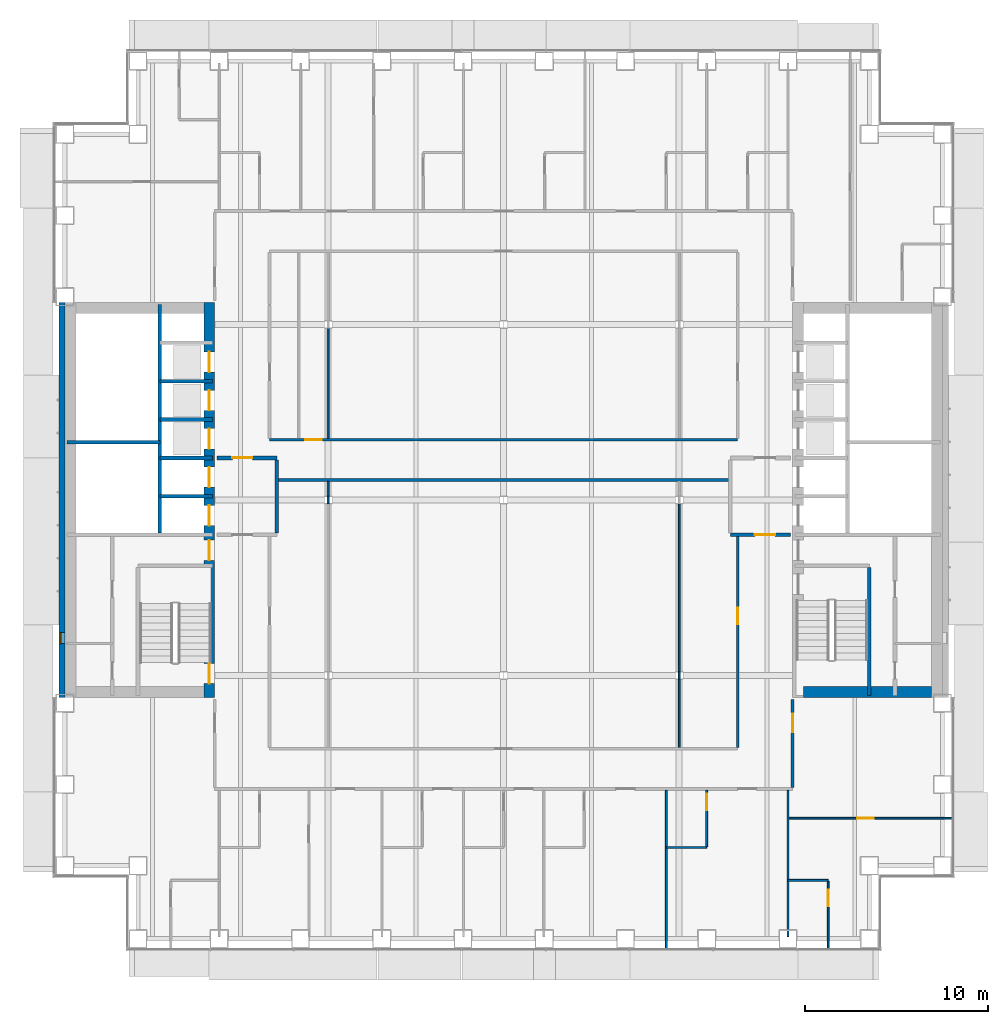
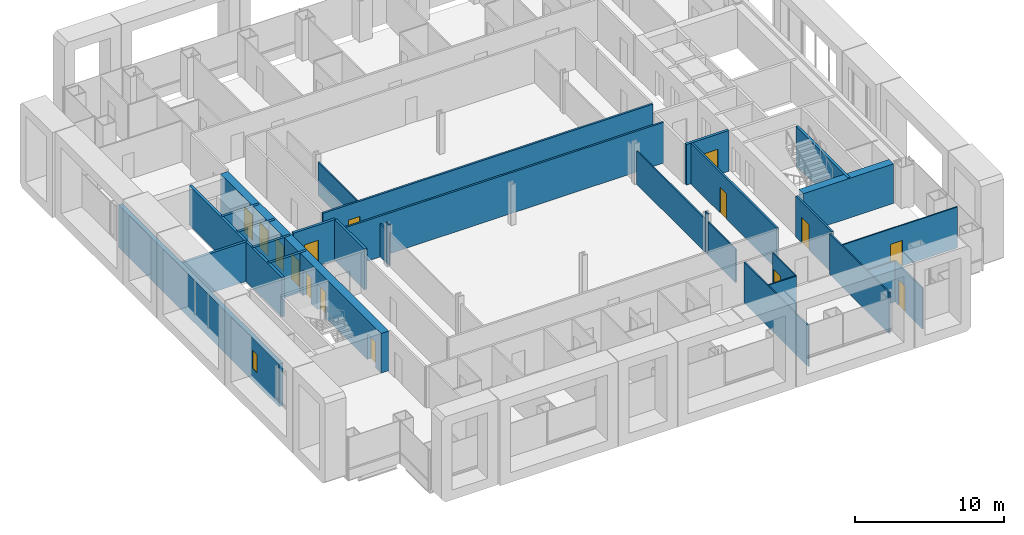
# One storey, part 16 of 25: 30 walls, 15 doors, 1 window, 16 openings.
"""IFC4 building model written with IfcOpenShell, lengths in metres."""

from ifc_helpers import new_model, si_unit, direction, frame, frame_2d, origin, place, context, subcontext, project, spatial, rectangle, extrude, material, layer, layer_set, type_object, element, fill, save


model = new_model("IFC4")

# Units and contexts
model_context = context("Model", 3, precision=1e-05, world=origin(), true_north=direction((0.0, 1.0)))
body_context = subcontext(model_context, "Body", "Model", "MODEL_VIEW")
ifc_project = project(units=[si_unit("LENGTHUNIT", "METRE"), si_unit("AREAUNIT", "SQUARE_METRE"), si_unit("VOLUMEUNIT", "CUBIC_METRE"), si_unit("PLANEANGLEUNIT", "RADIAN"), si_unit("MASSUNIT", "GRAM", prefix="KILO")], contexts=[model_context])

# Site, building, storey
site_placement = place(None, origin())
site = spatial("IfcSite", under=ifc_project, at=site_placement, CompositionType="ELEMENT")
building_placement = place(site_placement, origin())
building = spatial("IfcBuilding", under=site, at=building_placement, Name="Cobrizo Arcos Hotel Tower", CompositionType="ELEMENT")
storey_placement = place(building_placement, frame((0.0, 0.0, 46.0)))
storey = spatial("IfcBuildingStorey", under=building, at=storey_placement, Name="L09", CompositionType="ELEMENT", Elevation=46.0)

# Wall
ifc_material_1 = material(Name="Gypsum board partition")
ifc_layer_1 = layer(ifc_material_1, 0.14990234375)
ifc_layer_set_1 = layer_set([ifc_layer_1], Name="Corridor wall EI 60 150")
wall_type_1 = type_object("IfcWallType", Name="Corridor wall EI 60 150", PredefinedType="PARTITIONING", material=ifc_layer_set_1)
wall_1_placement = place(storey_placement, frame((-12.39990234375, 1.10009765625, 0.0), z_axis=(0.0, 0.0, 1.0), x_axis=(1.0, 0.0, 0.0)))
element("IfcWall", 1, at=wall_1_placement, inside=storey, type_object=wall_type_1, Name="Partition 021", PredefinedType="PARTITIONING", context=body_context, shape_type="SweptSolid", body=[
    extrude(rectangle(XDim=24.7998046875, YDim=0.14990234375, at=frame_2d((12.39990234375, 0.0))), origin(), (0.0, 0.0, 1.0), 3.35009765625),
])

# Wall, opening, door
wall_2_placement = place(storey_placement, frame((-12.800048828125, 3.300048828125, 0.0), z_axis=(0.0, 0.0, 1.0), x_axis=(1.0, 0.0, 0.0)))
wall_2 = element("IfcWall", 2, at=wall_2_placement, inside=storey, type_object=wall_type_1, Name="Partition 028", PredefinedType="PARTITIONING", context=body_context, shape_type="SweptSolid", body=[
    extrude(rectangle(XDim=25.60009765625, YDim=0.14990234375, at=frame_2d((12.800048828125, 0.0))), origin(), (0.0, 0.0, 1.0), 3.35009765625),
])
opening_1_placement = place(wall_2_placement, frame((1.949951171875, 0.0, 0.0)))
opening_1 = element("IfcOpeningElement", 3, at=opening_1_placement, cuts=wall_2, Name="Opening ED-17", PredefinedType="OPENING", context=body_context, shape_type="SweptSolid", body=[
    extrude(rectangle(XDim=0.89990234375, YDim=2.10009765625, at=frame_2d((0.449951171875, 1.050048828125))), frame((0.0, 0.0869140625, 0.0), z_axis=(0.0, -1.0, 0.0), x_axis=(1.0, 0.0, 0.0)), (0.0, 0.0, 1.0), 0.173828125),
])
ifc_material_2 = material(Name="Timber door leaf", Category="wood")
door_type_1 = type_object("IfcDoorType", Name="En-suite door 900x2100", OperationType="SINGLE_SWING_LEFT", PredefinedType="DOOR", material=ifc_material_2)
door_1_placement = place(opening_1_placement, origin())
door_1 = element("IfcDoor", 4, at=door_1_placement, inside=storey, type_object=door_type_1, Name="Door ED-17", OperationType="SINGLE_SWING_RIGHT", OverallHeight=2.10009765625, OverallWidth=0.89990234375, PredefinedType="DOOR", context=body_context, shape_type="SweptSolid", body=[
    extrude(rectangle(XDim=0.89990234375, YDim=2.10009765625, at=frame_2d((0.449951171875, 1.050048828125))), frame((0.0, 0.02490234375, 0.0), z_axis=(0.0, -1.0, 0.0), x_axis=(1.0, 0.0, 0.0)), (0.0, 0.0, 1.0), 0.050048828125),
])
fill(opening_1, door_1)

wall_3_placement = place(storey_placement, frame((12.800048828125, -13.52490234375, 0.0), z_axis=(0.0, 0.0, 1.0), x_axis=(0.0, 1.0, 0.0)))
wall_3 = element("IfcWall", 5, at=wall_3_placement, inside=storey, type_object=wall_type_1, Name="Partition 095", PredefinedType="PARTITIONING", context=body_context, shape_type="SweptSolid", body=[
    extrude(rectangle(XDim=11.52490234375, YDim=0.14990234375, at=frame_2d((5.762451171875, 0.0))), origin(), (0.0, 0.0, 1.0), 3.35009765625),
])
opening_2_placement = place(wall_3_placement, frame((6.72509765625, 0.0, 0.0)))
opening_2 = element("IfcOpeningElement", 6, at=opening_2_placement, cuts=wall_3, Name="Opening RD-11", PredefinedType="OPENING", context=body_context, shape_type="SweptSolid", body=[
    extrude(rectangle(XDim=0.89990234375, YDim=2.10009765625, at=frame_2d((0.449951171875, 1.050048828125))), frame((0.0, 0.0869140625, 0.0), z_axis=(0.0, -1.0, 0.0), x_axis=(1.0, 0.0, 0.0)), (0.0, 0.0, 1.0), 0.173828125),
])
door_type_2 = type_object("IfcDoorType", Name="Room door FD30 900x2100", OperationType="SINGLE_SWING_LEFT", PredefinedType="DOOR", material=ifc_material_2)
door_2_placement = place(opening_2_placement, origin())
door_2 = element("IfcDoor", 7, at=door_2_placement, inside=storey, type_object=door_type_2, Name="Door RD-11", OperationType="SINGLE_SWING_RIGHT", OverallHeight=2.10009765625, OverallWidth=0.89990234375, PredefinedType="DOOR", context=body_context, shape_type="SweptSolid", body=[
    extrude(rectangle(XDim=0.89990234375, YDim=2.10009765625, at=frame_2d((0.449951171875, 1.050048828125))), frame((0.0, 0.02490234375, 0.0), z_axis=(0.0, -1.0, 0.0), x_axis=(1.0, 0.0, 0.0)), (0.0, 0.0, 1.0), 0.050048828125),
])
fill(opening_2, door_2)

wall_4_placement = place(storey_placement, frame((15.800048828125, -15.72509765625, 0.0), z_axis=(0.0, 0.0, 1.0), x_axis=(0.0, 1.0, 0.0)))
wall_4 = element("IfcWall", 8, at=wall_4_placement, inside=storey, type_object=wall_type_1, Name="Partition 101", PredefinedType="PARTITIONING", context=body_context, shape_type="SweptSolid", body=[
    extrude(rectangle(XDim=4.80517578125, YDim=0.14990234375, at=frame_2d((2.402587890625, 0.0))), origin(), (0.0, 0.0, 1.0), 3.35009765625),
])
opening_3_placement = place(wall_4_placement, frame((3.02490234375, 0.0, 0.0)))
opening_3 = element("IfcOpeningElement", 9, at=opening_3_placement, cuts=wall_4, Name="Opening GD-13", PredefinedType="OPENING", context=body_context, shape_type="SweptSolid", body=[
    extrude(rectangle(XDim=1.0, YDim=2.10009765625, at=frame_2d((0.5, 1.050048828125))), frame((0.0, 0.0869140625, 0.0), z_axis=(0.0, -1.0, 0.0), x_axis=(1.0, 0.0, 0.0)), (0.0, 0.0, 1.0), 0.173828125),
])
door_type_3 = type_object("IfcDoorType", Name="Guest room door FD30S 1000x2100", OperationType="SINGLE_SWING_LEFT", PredefinedType="DOOR", material=ifc_material_2)
door_3_placement = place(opening_3_placement, origin())
door_3 = element("IfcDoor", 10, at=door_3_placement, inside=storey, type_object=door_type_3, Name="Door GD-13", OperationType="SINGLE_SWING_LEFT", OverallHeight=2.10009765625, OverallWidth=1.0, PredefinedType="DOOR", context=body_context, shape_type="SweptSolid", body=[
    extrude(rectangle(XDim=1.0, YDim=2.10009765625, at=frame_2d((0.5, 1.050048828125))), frame((0.0, 0.02490234375, 0.0), z_axis=(0.0, -1.0, 0.0), x_axis=(1.0, 0.0, 0.0)), (0.0, 0.0, 1.0), 0.050048828125),
])
fill(opening_3, door_3)

# Wall, opening, window
ifc_material_3 = material(Name="Aluminium composite panel pale metal", Category="aluminium")
ifc_layer_2 = layer(ifc_material_3, 0.324951171875)
ifc_layer_set_2 = layer_set([ifc_layer_2], Name="EW-1 insulated panel wall 325")
wall_type_2 = type_object("IfcWallType", Name="EW-1 insulated panel wall 325", PredefinedType="SOLIDWALL", material=ifc_layer_set_2)
wall_5_placement = place(storey_placement, frame((-24.16259765625, 10.800048828125, 0.0), z_axis=(0.0, 0.0, 1.0), x_axis=(0.0, -1.0, 0.0)))
wall_5 = element("IfcWall", 11, at=wall_5_placement, inside=storey, type_object=wall_type_2, Name="Core face wall L09 W", PredefinedType="SOLIDWALL", context=body_context, shape_type="SweptSolid", body=[
    extrude(rectangle(XDim=21.60009765625, YDim=0.324951171875, at=frame_2d((10.800048828125, 0.0))), origin(), (0.0, 0.0, 1.0), 3.5),
])
opening_4_placement = place(wall_5_placement, frame((18.050048828125, 0.0, 1.0)))
opening_4 = element("IfcOpeningElement", 12, at=opening_4_placement, cuts=wall_5, Name="Opening W-14", PredefinedType="OPENING", context=body_context, shape_type="SweptSolid", body=[
    extrude(rectangle(XDim=0.60009765625, YDim=1.5, at=frame_2d((0.300048828125, 0.75))), frame((0.0, 0.174560546875, 0.0), z_axis=(0.0, -1.0, 0.0), x_axis=(1.0, 0.0, 0.0)), (0.0, 0.0, 1.0), 0.348876953125),
])
ifc_material_4 = material(Name="Aluminium 6063-T6 and clear laminated glass", Category="aluminium")
window_type = type_object("IfcWindowType", Name="W-C1 core stair slot window 600x1500", PartitioningType="SINGLE_PANEL", PredefinedType="WINDOW", material=ifc_material_4)
window_placement = place(opening_4_placement, origin())
window = element("IfcWindow", 13, at=window_placement, inside=storey, type_object=window_type, Name="Core face wall L09 W window W-14", OverallHeight=1.5, OverallWidth=0.60009765625, PartitioningType="SINGLE_PANEL", PredefinedType="WINDOW", context=body_context, shape_type="SweptSolid", body=[
    extrude(rectangle(XDim=0.60009765625, YDim=1.5, at=frame_2d((0.300048828125, 0.75))), frame((0.0, -0.072509765625, 0.0), z_axis=(0.0, -1.0, 0.0), x_axis=(1.0, 0.0, 0.0)), (0.0, 0.0, 1.0), 0.06005859375),
])
fill(opening_4, window)

# Walls
ifc_layer_3 = layer(ifc_material_1, 0.10009765625)
ifc_layer_set_3 = layer_set([ifc_layer_3], Name="Partition EI 30 100")
wall_type_3 = type_object("IfcWallType", Name="Partition EI 30 100", PredefinedType="PARTITIONING", material=ifc_layer_set_3)
wall_6_placement = place(storey_placement, frame((15.550048828125, -20.800048828125, 0.0), z_axis=(0.0, 0.0, 1.0), x_axis=(1.0, 0.0, 0.0)))
element("IfcWall", 14, at=wall_6_placement, inside=storey, type_object=wall_type_3, Name="Partition 002", PredefinedType="PARTITIONING", context=body_context, shape_type="SweptSolid", body=[
    extrude(rectangle(XDim=2.199951171875, YDim=0.10009765625, at=frame_2d((1.10009765625, 0.0))), origin(), (0.0, 0.0, 1.0), 3.35009765625),
])
wall_7_placement = place(storey_placement, frame((8.89990234375, -19.0, 0.0), z_axis=(0.0, 0.0, 1.0), x_axis=(1.0, 0.0, 0.0)))
element("IfcWall", 15, at=wall_7_placement, inside=storey, type_object=wall_type_3, Name="Partition 007", PredefinedType="PARTITIONING", context=body_context, shape_type="SweptSolid", body=[
    extrude(rectangle(XDim=2.2001953125, YDim=0.10009765625, at=frame_2d((1.10009765625, 0.0))), origin(), (0.0, 0.0, 1.0), 3.35009765625),
])

# Wall, opening, door
wall_8_placement = place(storey_placement, frame((15.550048828125, -17.39990234375, 0.0), z_axis=(0.0, 0.0, 1.0), x_axis=(1.0, 0.0, 0.0)))
wall_8 = element("IfcWall", 16, at=wall_8_placement, inside=storey, type_object=wall_type_3, Name="Partition 008", PredefinedType="PARTITIONING", context=body_context, shape_type="SweptSolid", body=[
    extrude(rectangle(XDim=8.97998046875, YDim=0.10009765625, at=frame_2d((4.489990234375, 0.0))), origin(), (0.0, 0.0, 1.0), 3.35009765625),
])
opening_5_placement = place(wall_8_placement, frame((3.778076171875, 0.0, 0.0)))
opening_5 = element("IfcOpeningElement", 17, at=opening_5_placement, cuts=wall_8, Name="Opening RD-07", PredefinedType="OPENING", context=body_context, shape_type="SweptSolid", body=[
    extrude(rectangle(XDim=0.89990234375, YDim=2.10009765625, at=frame_2d((0.449951171875, 1.050048828125))), frame((0.0, 0.06201171875, 0.0), z_axis=(0.0, -1.0, 0.0), x_axis=(1.0, 0.0, 0.0)), (0.0, 0.0, 1.0), 0.1240234375),
])
door_4_placement = place(opening_5_placement, origin())
door_4 = element("IfcDoor", 18, at=door_4_placement, inside=storey, type_object=door_type_2, Name="Door RD-07", OperationType="SINGLE_SWING_RIGHT", OverallHeight=2.10009765625, OverallWidth=0.89990234375, PredefinedType="DOOR", context=body_context, shape_type="SweptSolid", body=[
    extrude(rectangle(XDim=0.89990234375, YDim=2.10009765625, at=frame_2d((0.449951171875, 1.050048828125))), frame((0.0, 0.02490234375, 0.0), z_axis=(0.0, -1.0, 0.0), x_axis=(1.0, 0.0, 0.0)), (0.0, 0.0, 1.0), 0.050048828125),
])
fill(opening_5, door_4)

# Walls
wall_9_placement = place(storey_placement, frame((-9.60009765625, -0.2041015625, 0.0), z_axis=(0.0, 0.0, 1.0), x_axis=(0.0, 1.0, 0.0)))
element("IfcWall", 19, at=wall_9_placement, inside=storey, type_object=wall_type_3, Name="Partition 066", PredefinedType="PARTITIONING", context=body_context, shape_type="SweptSolid", body=[
    extrude(rectangle(XDim=0.408203125, YDim=0.10009765625, at=frame_2d((0.2041015625, 0.0))), origin(), (0.0, 0.0, 1.0), 3.35009765625),
])
wall_10_placement = place(storey_placement, frame((-9.60009765625, 0.2041015625, 0.0), z_axis=(0.0, 0.0, 1.0), x_axis=(0.0, 1.0, 0.0)))
element("IfcWall", 20, at=wall_10_placement, inside=storey, type_object=wall_type_3, Name="Partition 067", PredefinedType="PARTITIONING", context=body_context, shape_type="SweptSolid", body=[
    extrude(rectangle(XDim=0.82080078125, YDim=0.10009765625, at=frame_2d((0.410400390625, 0.0))), origin(), (0.0, 0.0, 1.0), 2.72802734375),
])
wall_11_placement = place(storey_placement, frame((-9.60009765625, 3.375, 0.0), z_axis=(0.0, 0.0, 1.0), x_axis=(0.0, 1.0, 0.0)))
element("IfcWall", 21, at=wall_11_placement, inside=storey, type_object=wall_type_3, Name="Partition 068", PredefinedType="PARTITIONING", context=body_context, shape_type="SweptSolid", body=[
    extrude(rectangle(XDim=6.02099609375, YDim=0.10009765625, at=frame_2d((3.010498046875, 0.0))), origin(), (0.0, 0.0, 1.0), 2.72802734375),
])
wall_12_placement = place(storey_placement, frame((8.89990234375, -24.530029296875, 0.0), z_axis=(0.0, 0.0, 1.0), x_axis=(0.0, 1.0, 0.0)))
element("IfcWall", 22, at=wall_12_placement, inside=storey, type_object=wall_type_3, Name="Partition 082", PredefinedType="PARTITIONING", context=body_context, shape_type="SweptSolid", body=[
    extrude(rectangle(XDim=8.655029296875, YDim=0.10009765625, at=frame_2d((4.32763671875, 0.0))), origin(), (0.0, 0.0, 1.0), 3.35009765625),
])
wall_13_placement = place(storey_placement, frame((9.60009765625, -13.52490234375, 0.0), z_axis=(0.0, 0.0, 1.0), x_axis=(0.0, 1.0, 0.0)))
element("IfcWall", 23, at=wall_13_placement, inside=storey, type_object=wall_type_3, Name="Partition 084", PredefinedType="PARTITIONING", context=body_context, shape_type="SweptSolid", body=[
    extrude(rectangle(XDim=3.720947265625, YDim=0.10009765625, at=frame_2d((1.8603515625, 0.0))), origin(), (0.0, 0.0, 1.0), 2.72802734375),
])
wall_14_placement = place(storey_placement, frame((9.60009765625, -9.803955078125, 0.0), z_axis=(0.0, 0.0, 1.0), x_axis=(0.0, 1.0, 0.0)))
element("IfcWall", 24, at=wall_14_placement, inside=storey, type_object=wall_type_3, Name="Partition 085", PredefinedType="PARTITIONING", context=body_context, shape_type="SweptSolid", body=[
    extrude(rectangle(XDim=0.407958984375, YDim=0.10009765625, at=frame_2d((0.2041015625, 0.0))), origin(), (0.0, 0.0, 1.0), 3.35009765625),
])
wall_15_placement = place(storey_placement, frame((9.60009765625, -9.39599609375, 0.0), z_axis=(0.0, 0.0, 1.0), x_axis=(0.0, 1.0, 0.0)))
element("IfcWall", 25, at=wall_15_placement, inside=storey, type_object=wall_type_3, Name="Partition 086", PredefinedType="PARTITIONING", context=body_context, shape_type="SweptSolid", body=[
    extrude(rectangle(XDim=9.19189453125, YDim=0.10009765625, at=frame_2d((4.595947265625, 0.0))), origin(), (0.0, 0.0, 1.0), 2.72802734375),
])

# Wall, opening, door
wall_16_placement = place(storey_placement, frame((11.10009765625, -18.949951171875, 0.0), z_axis=(0.0, 0.0, 1.0), x_axis=(0.0, 1.0, 0.0)))
wall_16 = element("IfcWall", 26, at=wall_16_placement, inside=storey, type_object=wall_type_3, Name="Partition 092", PredefinedType="PARTITIONING", context=body_context, shape_type="SweptSolid", body=[
    extrude(rectangle(XDim=3.074951171875, YDim=0.10009765625, at=frame_2d((1.53759765625, 0.0))), origin(), (0.0, 0.0, 1.0), 3.35009765625),
])
opening_6_placement = place(wall_16_placement, frame((1.99609375, 0.0, 0.0)))
opening_6 = element("IfcOpeningElement", 27, at=opening_6_placement, cuts=wall_16, Name="Opening ED-11", PredefinedType="OPENING", context=body_context, shape_type="SweptSolid", body=[
    extrude(rectangle(XDim=0.89990234375, YDim=2.10009765625, at=frame_2d((0.449951171875, 1.050048828125))), frame((0.0, 0.06201171875, 0.0), z_axis=(0.0, -1.0, 0.0), x_axis=(1.0, 0.0, 0.0)), (0.0, 0.0, 1.0), 0.1240234375),
])
door_5_placement = place(opening_6_placement, origin())
door_5 = element("IfcDoor", 28, at=door_5_placement, inside=storey, type_object=door_type_1, Name="Door ED-11", OperationType="SINGLE_SWING_RIGHT", OverallHeight=2.10009765625, OverallWidth=0.89990234375, PredefinedType="DOOR", context=body_context, shape_type="SweptSolid", body=[
    extrude(rectangle(XDim=0.89990234375, YDim=2.10009765625, at=frame_2d((0.449951171875, 1.050048828125))), frame((0.0, 0.02490234375, 0.0), z_axis=(0.0, -1.0, 0.0), x_axis=(1.0, 0.0, 0.0)), (0.0, 0.0, 1.0), 0.050048828125),
])
fill(opening_6, door_5)

# Wall
wall_17_placement = place(storey_placement, frame((15.550048828125, -23.8798828125, 0.0), z_axis=(0.0, 0.0, 1.0), x_axis=(0.0, 1.0, 0.0)))
element("IfcWall", 29, at=wall_17_placement, inside=storey, type_object=wall_type_3, Name="Partition 099", PredefinedType="PARTITIONING", context=body_context, shape_type="SweptSolid", body=[
    extrude(rectangle(XDim=8.0048828125, YDim=0.10009765625, at=frame_2d((4.00244140625, 0.0))), origin(), (0.0, 0.0, 1.0), 3.35009765625),
])

# Wall, opening, door
wall_18_placement = place(storey_placement, frame((17.75, -24.530029296875, 0.0), z_axis=(0.0, 0.0, 1.0), x_axis=(0.0, 1.0, 0.0)))
wall_18 = element("IfcWall", 30, at=wall_18_placement, inside=storey, type_object=wall_type_3, Name="Partition 103", PredefinedType="PARTITIONING", context=body_context, shape_type="SweptSolid", body=[
    extrude(rectangle(XDim=3.679931640625, YDim=0.10009765625, at=frame_2d((1.83984375, 0.0))), origin(), (0.0, 0.0, 1.0), 3.35009765625),
])
opening_7_placement = place(wall_18_placement, frame((2.320068359375, 0.0, 0.0)))
opening_7 = element("IfcOpeningElement", 31, at=opening_7_placement, cuts=wall_18, Name="Opening ED-14", PredefinedType="OPENING", context=body_context, shape_type="SweptSolid", body=[
    extrude(rectangle(XDim=0.89990234375, YDim=2.10009765625, at=frame_2d((0.449951171875, 1.050048828125))), frame((0.0, 0.06201171875, 0.0), z_axis=(0.0, -1.0, 0.0), x_axis=(1.0, 0.0, 0.0)), (0.0, 0.0, 1.0), 0.1240234375),
])
door_6_placement = place(opening_7_placement, origin())
door_6 = element("IfcDoor", 32, at=door_6_placement, inside=storey, type_object=door_type_1, Name="Door ED-14", OperationType="SINGLE_SWING_RIGHT", OverallHeight=2.10009765625, OverallWidth=0.89990234375, PredefinedType="DOOR", context=body_context, shape_type="SweptSolid", body=[
    extrude(rectangle(XDim=0.89990234375, YDim=2.10009765625, at=frame_2d((0.449951171875, 1.050048828125))), frame((0.0, 0.02490234375, 0.0), z_axis=(0.0, -1.0, 0.0), x_axis=(1.0, 0.0, 0.0)), (0.0, 0.0, 1.0), 0.050048828125),
])
fill(opening_7, door_6)

# Wall
ifc_material_5 = material(Name="Concrete f'c 60 MPa", Category="concrete")
ifc_layer_4 = layer(ifc_material_5, 0.60009765625)
ifc_layer_set_4 = layer_set([ifc_layer_4], Name="RC core wall 600 f'c 60")
wall_type_4 = type_object("IfcWallType", Name="RC core wall 600 f'c 60", PredefinedType="SHEAR", material=ifc_layer_set_4)
wall_19_placement = place(storey_placement, frame((16.39990234375, -10.5, 0.0), z_axis=(0.0, 0.0, 1.0), x_axis=(1.0, 0.0, 0.0)))
element("IfcWall", 33, at=wall_19_placement, inside=storey, type_object=wall_type_4, Name="Core wall CW1, east core, south end, L09", PredefinedType="SHEAR", context=body_context, shape_type="SweptSolid", body=[
    extrude(rectangle(XDim=7.0, YDim=0.60009765625, at=frame_2d((3.5, 0.0))), origin(), (0.0, 0.0, 1.0), 3.25),
])

# Wall, openings, doors
wall_20_placement = place(storey_placement, frame((-16.10009765625, -10.800048828125, 0.0), z_axis=(0.0, 0.0, 1.0), x_axis=(0.0, 1.0, 0.0)))
wall_20 = element("IfcWall", 34, at=wall_20_placement, inside=storey, type_object=wall_type_4, Name="Core wall CW1, west core, inner face, L09", PredefinedType="SHEAR", context=body_context, shape_type="SweptSolid", body=[
    extrude(rectangle(XDim=21.60009765625, YDim=0.60009765625, at=frame_2d((10.800048828125, 0.0))), origin(), (0.0, 0.0, 1.0), 3.25),
])
opening_8_placement = place(wall_20_placement, frame((9.39990234375, 0.0, 0.0)))
opening_8 = element("IfcOpeningElement", 35, at=opening_8_placement, cuts=wall_20, Name="Opening LD-01", PredefinedType="OPENING", context=body_context, shape_type="SweptSolid", body=[
    extrude(rectangle(XDim=1.10009765625, YDim=2.10009765625, at=frame_2d((0.550048828125, 1.050048828125))), frame((0.0, 0.31201171875, 0.0), z_axis=(0.0, -1.0, 0.0), x_axis=(1.0, 0.0, 0.0)), (0.0, 0.0, 1.0), 0.6240234375),
])
opening_9_placement = place(wall_20_placement, frame((11.5, 0.0, 0.0)))
opening_9 = element("IfcOpeningElement", 36, at=opening_9_placement, cuts=wall_20, Name="Opening LD-02", PredefinedType="OPENING", context=body_context, shape_type="SweptSolid", body=[
    extrude(rectangle(XDim=1.10009765625, YDim=2.10009765625, at=frame_2d((0.550048828125, 1.050048828125))), frame((0.0, 0.31201171875, 0.0), z_axis=(0.0, -1.0, 0.0), x_axis=(1.0, 0.0, 0.0)), (0.0, 0.0, 1.0), 0.6240234375),
])
opening_10_placement = place(wall_20_placement, frame((13.60009765625, 0.0, 0.0)))
opening_10 = element("IfcOpeningElement", 37, at=opening_10_placement, cuts=wall_20, Name="Opening LD-03", PredefinedType="OPENING", context=body_context, shape_type="SweptSolid", body=[
    extrude(rectangle(XDim=1.10009765625, YDim=2.10009765625, at=frame_2d((0.550048828125, 1.050048828125))), frame((0.0, 0.31201171875, 0.0), z_axis=(0.0, -1.0, 0.0), x_axis=(1.0, 0.0, 0.0)), (0.0, 0.0, 1.0), 0.6240234375),
])
opening_11_placement = place(wall_20_placement, frame((15.699951171875, 0.0, 0.0)))
opening_11 = element("IfcOpeningElement", 38, at=opening_11_placement, cuts=wall_20, Name="Opening LD-04", PredefinedType="OPENING", context=body_context, shape_type="SweptSolid", body=[
    extrude(rectangle(XDim=1.10009765625, YDim=2.10009765625, at=frame_2d((0.550048828125, 1.050048828125))), frame((0.0, 0.31201171875, 0.0), z_axis=(0.0, -1.0, 0.0), x_axis=(1.0, 0.0, 0.0)), (0.0, 0.0, 1.0), 0.6240234375),
])
opening_12_placement = place(wall_20_placement, frame((17.800048828125, 0.0, 0.0)))
opening_12 = element("IfcOpeningElement", 39, at=opening_12_placement, cuts=wall_20, Name="Opening LD-05", PredefinedType="OPENING", context=body_context, shape_type="SweptSolid", body=[
    extrude(rectangle(XDim=1.10009765625, YDim=2.10009765625, at=frame_2d((0.550048828125, 1.050048828125))), frame((0.0, 0.31201171875, 0.0), z_axis=(0.0, -1.0, 0.0), x_axis=(1.0, 0.0, 0.0)), (0.0, 0.0, 1.0), 0.6240234375),
])
opening_13_placement = place(wall_20_placement, frame((0.758056640625, 0.0, 0.0)))
opening_13 = element("IfcOpeningElement", 40, at=opening_13_placement, cuts=wall_20, Name="Opening SD-01", PredefinedType="OPENING", context=body_context, shape_type="SweptSolid", body=[
    extrude(rectangle(XDim=1.10009765625, YDim=2.10009765625, at=frame_2d((0.550048828125, 1.050048828125))), frame((0.0, 0.31201171875, 0.0), z_axis=(0.0, -1.0, 0.0), x_axis=(1.0, 0.0, 0.0)), (0.0, 0.0, 1.0), 0.6240234375),
])
opening_14_placement = place(wall_20_placement, frame((7.5, 0.0, 0.0)))
opening_14 = element("IfcOpeningElement", 41, at=opening_14_placement, cuts=wall_20, Name="Opening FD-01", PredefinedType="OPENING", context=body_context, shape_type="SweptSolid", body=[
    extrude(rectangle(XDim=1.10009765625, YDim=2.10009765625, at=frame_2d((0.550048828125, 1.050048828125))), frame((0.0, 0.31201171875, 0.0), z_axis=(0.0, -1.0, 0.0), x_axis=(1.0, 0.0, 0.0)), (0.0, 0.0, 1.0), 0.6240234375),
])
ifc_material_6 = material(Name="Steel door leaf", Category="steel")
door_type_4 = type_object("IfcDoorType", Name="Fire door FD60 1100x2100", OperationType="SINGLE_SWING_LEFT", PredefinedType="DOOR", material=ifc_material_6)
door_7_placement = place(opening_14_placement, origin())
door_7 = element("IfcDoor", 42, at=door_7_placement, inside=storey, type_object=door_type_4, Name="Door FD-01", OperationType="SINGLE_SWING_LEFT", OverallHeight=2.10009765625, OverallWidth=1.10009765625, PredefinedType="DOOR", context=body_context, shape_type="SweptSolid", body=[
    extrude(rectangle(XDim=1.10009765625, YDim=2.10009765625, at=frame_2d((0.550048828125, 1.050048828125))), frame((0.0, 0.02490234375, 0.0), z_axis=(0.0, -1.0, 0.0), x_axis=(1.0, 0.0, 0.0)), (0.0, 0.0, 1.0), 0.050048828125),
])
fill(opening_14, door_7)
door_type_5 = type_object("IfcDoorType", Name="Lift landing door 1100x2100", OperationType="SLIDING_TO_LEFT", PredefinedType="DOOR", material=ifc_material_6)
door_8_placement = place(opening_8_placement, origin())
door_8 = element("IfcDoor", 43, at=door_8_placement, inside=storey, type_object=door_type_5, Name="Lift landing door LD-01", OperationType="SLIDING_TO_LEFT", OverallHeight=2.10009765625, OverallWidth=1.10009765625, PredefinedType="DOOR", context=body_context, shape_type="SweptSolid", body=[
    extrude(rectangle(XDim=1.10009765625, YDim=2.10009765625, at=frame_2d((0.550048828125, 1.050048828125))), frame((0.0, 0.02490234375, 0.0), z_axis=(0.0, -1.0, 0.0), x_axis=(1.0, 0.0, 0.0)), (0.0, 0.0, 1.0), 0.050048828125),
])
fill(opening_8, door_8)
door_9_placement = place(opening_9_placement, origin())
door_9 = element("IfcDoor", 44, at=door_9_placement, inside=storey, type_object=door_type_5, Name="Lift landing door LD-02", OperationType="SLIDING_TO_LEFT", OverallHeight=2.10009765625, OverallWidth=1.10009765625, PredefinedType="DOOR", context=body_context, shape_type="SweptSolid", body=[
    extrude(rectangle(XDim=1.10009765625, YDim=2.10009765625, at=frame_2d((0.550048828125, 1.050048828125))), frame((0.0, 0.02490234375, 0.0), z_axis=(0.0, -1.0, 0.0), x_axis=(1.0, 0.0, 0.0)), (0.0, 0.0, 1.0), 0.050048828125),
])
fill(opening_9, door_9)
door_10_placement = place(opening_10_placement, origin())
door_10 = element("IfcDoor", 45, at=door_10_placement, inside=storey, type_object=door_type_5, Name="Lift landing door LD-03", OperationType="SLIDING_TO_LEFT", OverallHeight=2.10009765625, OverallWidth=1.10009765625, PredefinedType="DOOR", context=body_context, shape_type="SweptSolid", body=[
    extrude(rectangle(XDim=1.10009765625, YDim=2.10009765625, at=frame_2d((0.550048828125, 1.050048828125))), frame((0.0, 0.02490234375, 0.0), z_axis=(0.0, -1.0, 0.0), x_axis=(1.0, 0.0, 0.0)), (0.0, 0.0, 1.0), 0.050048828125),
])
fill(opening_10, door_10)
door_11_placement = place(opening_11_placement, origin())
door_11 = element("IfcDoor", 46, at=door_11_placement, inside=storey, type_object=door_type_5, Name="Lift landing door LD-04", OperationType="SLIDING_TO_LEFT", OverallHeight=2.10009765625, OverallWidth=1.10009765625, PredefinedType="DOOR", context=body_context, shape_type="SweptSolid", body=[
    extrude(rectangle(XDim=1.10009765625, YDim=2.10009765625, at=frame_2d((0.550048828125, 1.050048828125))), frame((0.0, 0.02490234375, 0.0), z_axis=(0.0, -1.0, 0.0), x_axis=(1.0, 0.0, 0.0)), (0.0, 0.0, 1.0), 0.050048828125),
])
fill(opening_11, door_11)
door_12_placement = place(opening_12_placement, origin())
door_12 = element("IfcDoor", 47, at=door_12_placement, inside=storey, type_object=door_type_5, Name="Lift landing door LD-05", OperationType="SLIDING_TO_LEFT", OverallHeight=2.10009765625, OverallWidth=1.10009765625, PredefinedType="DOOR", context=body_context, shape_type="SweptSolid", body=[
    extrude(rectangle(XDim=1.10009765625, YDim=2.10009765625, at=frame_2d((0.550048828125, 1.050048828125))), frame((0.0, 0.02490234375, 0.0), z_axis=(0.0, -1.0, 0.0), x_axis=(1.0, 0.0, 0.0)), (0.0, 0.0, 1.0), 0.050048828125),
])
fill(opening_12, door_12)
door_type_6 = type_object("IfcDoorType", Name="Stair door FD60S 1100x2100", OperationType="SINGLE_SWING_LEFT", PredefinedType="DOOR", material=ifc_material_6)
door_13_placement = place(opening_13_placement, origin())
door_13 = element("IfcDoor", 48, at=door_13_placement, inside=storey, type_object=door_type_6, Name="Door SD-01", OperationType="SINGLE_SWING_RIGHT", OverallHeight=2.10009765625, OverallWidth=1.10009765625, PredefinedType="DOOR", context=body_context, shape_type="SweptSolid", body=[
    extrude(rectangle(XDim=1.10009765625, YDim=2.10009765625, at=frame_2d((0.550048828125, 1.050048828125))), frame((0.0, 0.02490234375, 0.0), z_axis=(0.0, -1.0, 0.0), x_axis=(1.0, 0.0, 0.0)), (0.0, 0.0, 1.0), 0.050048828125),
])
fill(opening_13, door_13)

# Wall, opening, door
ifc_layer_5 = layer(ifc_material_1, 0.199951171875)
ifc_layer_set_5 = layer_set([ifc_layer_5], Name="Shaft wall EI 120 200")
wall_type_5 = type_object("IfcWallType", Name="Shaft wall EI 120 200", PredefinedType="PARTITIONING", material=ifc_layer_set_5)
wall_21_placement = place(storey_placement, frame((12.39990234375, -1.89990234375, 0.0), z_axis=(0.0, 0.0, 1.0), x_axis=(1.0, 0.0, 0.0)))
wall_21 = element("IfcWall", 49, at=wall_21_placement, inside=storey, type_object=wall_type_5, Name="Partition 017", PredefinedType="PARTITIONING", context=body_context, shape_type="SweptSolid", body=[
    extrude(rectangle(XDim=3.280029296875, YDim=0.199951171875, at=frame_2d((1.64013671875, 0.0))), origin(), (0.0, 0.0, 1.0), 3.35009765625),
])
opening_15_placement = place(wall_21_placement, frame((1.340087890625, 0.0, 0.0)))
opening_15 = element("IfcOpeningElement", 50, at=opening_15_placement, cuts=wall_21, Name="Opening FD-06", PredefinedType="OPENING", context=body_context, shape_type="SweptSolid", body=[
    extrude(rectangle(XDim=1.10009765625, YDim=2.10009765625, at=frame_2d((0.550048828125, 1.050048828125))), frame((0.0, 0.112060546875, 0.0), z_axis=(0.0, -1.0, 0.0), x_axis=(1.0, 0.0, 0.0)), (0.0, 0.0, 1.0), 0.223876953125),
])
door_14_placement = place(opening_15_placement, origin())
door_14 = element("IfcDoor", 51, at=door_14_placement, inside=storey, type_object=door_type_4, Name="Door FD-06", OperationType="SINGLE_SWING_LEFT", OverallHeight=2.10009765625, OverallWidth=1.10009765625, PredefinedType="DOOR", context=body_context, shape_type="SweptSolid", body=[
    extrude(rectangle(XDim=1.10009765625, YDim=2.10009765625, at=frame_2d((0.550048828125, 1.050048828125))), frame((0.0, 0.02490234375, 0.0), z_axis=(0.0, -1.0, 0.0), x_axis=(1.0, 0.0, 0.0)), (0.0, 0.0, 1.0), 0.050048828125),
])
fill(opening_15, door_14)

# Walls
for number, where, z_axis, x_axis, name in (
    (52, (-18.800048828125, 0.199951171875, 0.0), (0.0, 0.0, 1.0), (1.0, 0.0, 0.0), "Partition 019"),
    (53, (-18.800048828125, 2.300048828125, 0.0), (0.0, 0.0, 1.0), (1.0, 0.0, 0.0), "Partition 022"),
):
    element("IfcWall", number, at=place(storey_placement, frame(where, z_axis=z_axis, x_axis=x_axis)), inside=storey, type_object=wall_type_5, Name=name, PredefinedType="PARTITIONING", context=body_context, shape_type="SweptSolid", body=[
        extrude(rectangle(XDim=2.880126953125, YDim=0.199951171875, at=frame_2d((1.43994140625, 0.0))), origin(), (0.0, 0.0, 1.0), 3.25),
    ])

# Wall, opening, door
wall_22_placement = place(storey_placement, frame((-15.679931640625, 2.300048828125, 0.0), z_axis=(0.0, 0.0, 1.0), x_axis=(1.0, 0.0, 0.0)))
wall_22 = element("IfcWall", 54, at=wall_22_placement, inside=storey, type_object=wall_type_5, Name="Partition 023", PredefinedType="PARTITIONING", context=body_context, shape_type="SweptSolid", body=[
    extrude(rectangle(XDim=3.280029296875, YDim=0.199951171875, at=frame_2d((1.64013671875, 0.0))), origin(), (0.0, 0.0, 1.0), 3.35009765625),
])
opening_16_placement = place(wall_22_placement, frame((0.840087890625, 0.0, 0.0)))
opening_16 = element("IfcOpeningElement", 55, at=opening_16_placement, cuts=wall_22, Name="Opening FD-02", PredefinedType="OPENING", context=body_context, shape_type="SweptSolid", body=[
    extrude(rectangle(XDim=1.10009765625, YDim=2.10009765625, at=frame_2d((0.550048828125, 1.050048828125))), frame((0.0, 0.112060546875, 0.0), z_axis=(0.0, -1.0, 0.0), x_axis=(1.0, 0.0, 0.0)), (0.0, 0.0, 1.0), 0.223876953125),
])
door_15_placement = place(opening_16_placement, origin())
door_15 = element("IfcDoor", 56, at=door_15_placement, inside=storey, type_object=door_type_4, Name="Door FD-02", OperationType="SINGLE_SWING_LEFT", OverallHeight=2.10009765625, OverallWidth=1.10009765625, PredefinedType="DOOR", context=body_context, shape_type="SweptSolid", body=[
    extrude(rectangle(XDim=1.10009765625, YDim=2.10009765625, at=frame_2d((0.550048828125, 1.050048828125))), frame((0.0, 0.02490234375, 0.0), z_axis=(0.0, -1.0, 0.0), x_axis=(1.0, 0.0, 0.0)), (0.0, 0.0, 1.0), 0.050048828125),
])
fill(opening_16, door_15)

# Walls
wall_23_placement = place(storey_placement, frame((-23.8798828125, 3.14990234375, 0.0), z_axis=(0.0, 0.0, 1.0), x_axis=(1.0, 0.0, 0.0)))
element("IfcWall", 57, at=wall_23_placement, inside=storey, type_object=wall_type_5, Name="Partition 026", PredefinedType="PARTITIONING", context=body_context, shape_type="SweptSolid", body=[
    extrude(rectangle(XDim=5.079833984375, YDim=0.199951171875, at=frame_2d((2.5400390625, 0.0))), origin(), (0.0, 0.0, 1.0), 3.25),
])
for number, where, z_axis, x_axis, name in (
    (58, (-18.800048828125, 4.39990234375, 0.0), (0.0, 0.0, 1.0), (1.0, 0.0, 0.0), "Partition 029"),
    (59, (-18.800048828125, 6.5, 0.0), (0.0, 0.0, 1.0), (1.0, 0.0, 0.0), "Partition 031"),
):
    element("IfcWall", number, at=place(storey_placement, frame(where, z_axis=z_axis, x_axis=x_axis)), inside=storey, type_object=wall_type_5, Name=name, PredefinedType="PARTITIONING", context=body_context, shape_type="SweptSolid", body=[
        extrude(rectangle(XDim=2.880126953125, YDim=0.199951171875, at=frame_2d((1.43994140625, 0.0))), origin(), (0.0, 0.0, 1.0), 3.25),
    ])
wall_24_placement = place(storey_placement, frame((-18.800048828125, -1.800048828125, 0.0), z_axis=(0.0, 0.0, 1.0), x_axis=(0.0, 1.0, 0.0)))
element("IfcWall", 60, at=wall_24_placement, inside=storey, type_object=wall_type_5, Name="Partition 047", PredefinedType="PARTITIONING", context=body_context, shape_type="SweptSolid", body=[
    extrude(rectangle(XDim=12.47998046875, YDim=0.199951171875, at=frame_2d((6.239990234375, 0.0))), origin(), (0.0, 0.0, 1.0), 3.25),
])
wall_25_placement = place(storey_placement, frame((-12.39990234375, -1.800048828125, 0.0), z_axis=(0.0, 0.0, 1.0), x_axis=(0.0, 1.0, 0.0)))
element("IfcWall", 61, at=wall_25_placement, inside=storey, type_object=wall_type_5, Name="Partition 059", PredefinedType="PARTITIONING", context=body_context, shape_type="SweptSolid", body=[
    extrude(rectangle(XDim=4.0, YDim=0.199951171875, at=frame_2d((2.0, 0.0))), origin(), (0.0, 0.0, 1.0), 3.35009765625),
])
ifc_material_7 = material(Name="Concrete f'c 40 MPa", Category="concrete")
ifc_layer_6 = layer(ifc_material_7, 0.199951171875)
ifc_layer_set_6 = layer_set([ifc_layer_6], Name="Stair shaft wall 200")
wall_type_6 = type_object("IfcWallType", Name="Stair shaft wall 200", PredefinedType="SHEAR", material=ifc_layer_set_6)
wall_26_placement = place(storey_placement, frame((20.0, -10.679931640625, 0.0), z_axis=(0.0, 0.0, 1.0), x_axis=(0.0, 1.0, 0.0)))
element("IfcWall", 62, at=wall_26_placement, inside=storey, type_object=wall_type_6, Name="Stair shaft wall E", PredefinedType="SHEAR", context=body_context, shape_type="SweptSolid", body=[
    extrude(rectangle(XDim=6.97998046875, YDim=0.199951171875, at=frame_2d((3.489990234375, 0.0))), origin(), (0.0, 0.0, 1.0), 3.25),
])

save(model, "model.ifc")
